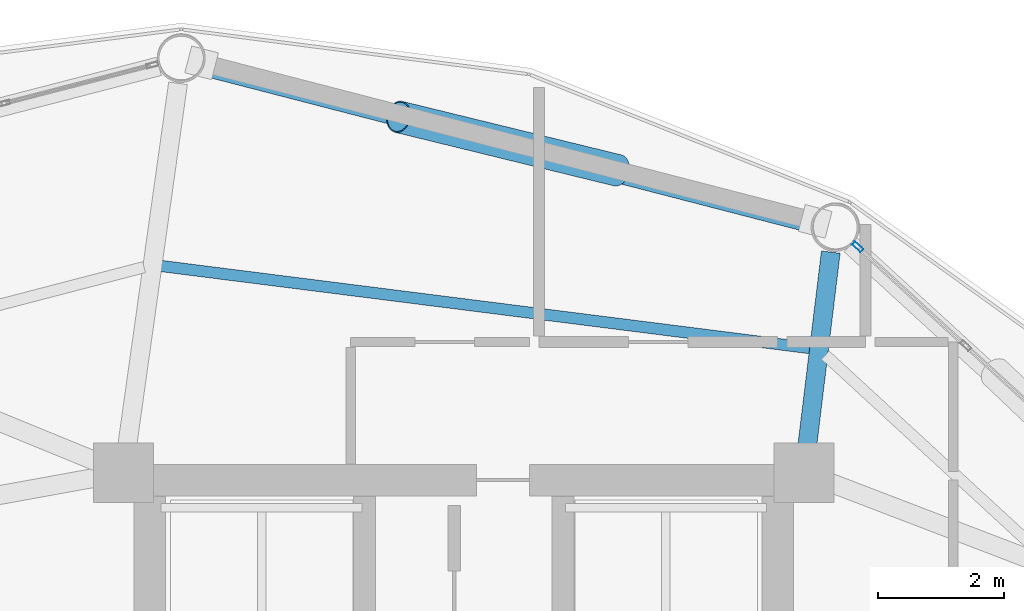
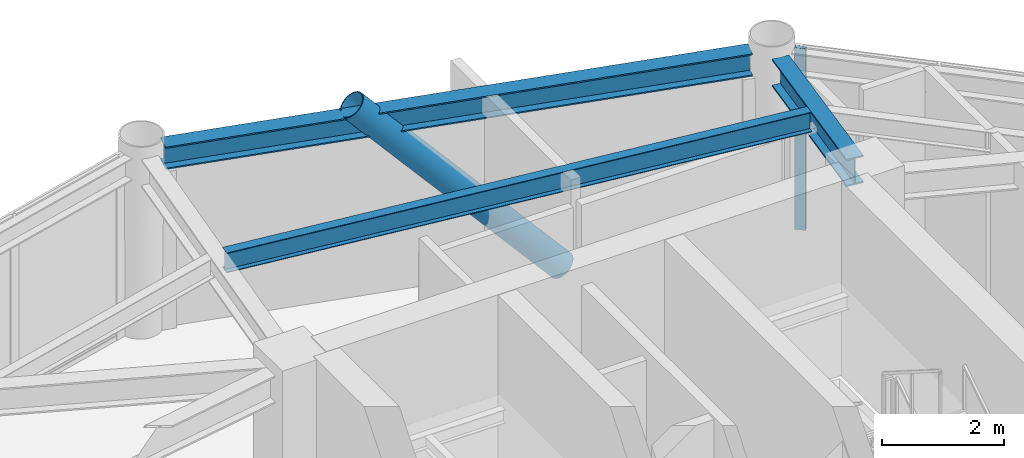
# One storey, part 18 of 26: 3 beams, 2 members, 1 element without a shape of its own.
"""IFC4 building model written with IfcOpenShell, lengths in metres."""

import ifcopenshell
import ifcopenshell.guid

model = None  # the IFC model being written
_history = None  # IfcOwnerHistory: only IFC2X3 demands one
_inside = {}  # id of a spatial element -> (the spatial element, [elements in it])
_under = {}  # id of a project, library or spatial element -> (it, [spatial elements below it])
_declared = {}  # id of a project -> (the project, [libraries it declares])
_typed = {}  # id of a type object -> (the type object, [elements of that type])
_made_of = {}  # id of a material, layer set ... -> (it, [elements and type objects made of it])


def new_model(schema):
    """Start an empty IFC model of exactly this schema.

    Asked for "IFC4X3", IfcOpenShell would pick the latest addendum, in which some entities
    have other attributes; the version numbers below select the first issue.
    IFC2X3 requires an IfcOwnerHistory on every rooted entity: one is made here for all.
    """
    global model, _history
    if schema == "IFC4X3":
        model = ifcopenshell.file(schema_version=(4, 3, 0, 0))
    else:
        model = ifcopenshell.file(schema=schema)
    _inside.clear()
    _under.clear()
    _declared.clear()
    _typed.clear()
    _made_of.clear()
    _history = None
    if model.schema == "IFC2X3":
        org = make("IfcOrganization", Name="unknown")
        user = make(
            "IfcPersonAndOrganization",
            ThePerson=make("IfcPerson", FamilyName="unknown"),
            TheOrganization=org,
        )
        app = make(
            "IfcApplication",
            ApplicationDeveloper=org,
            Version="unknown",
            ApplicationFullName="unknown",
            ApplicationIdentifier="unknown",
        )
        _history = make(
            "IfcOwnerHistory",
            OwningUser=user,
            OwningApplication=app,
            ChangeAction="ADDED",
            CreationDate=0,
        )
    return model


def make(cls, **values):
    """One entity of the class cls with the attributes given. An attribute that is None is left unset."""
    return model.create_entity(
        cls, **{name: value for name, value in values.items() if value is not None}
    )


def rooted(cls, **values):
    """An entity with a GlobalId (a new one), such as an element, a storey or a relation."""
    return make(cls, GlobalId=ifcopenshell.guid.new(), OwnerHistory=_history, **values)


def si_unit(unit_type, name, prefix=None):
    """IfcSIUnit, for example si_unit("LENGTHUNIT", "METRE", prefix="MILLI")."""
    return make("IfcSIUnit", UnitType=unit_type, Prefix=prefix, Name=name)


def assignment(units):
    """IfcUnitAssignment: the units of a project."""
    return None if units is None else make("IfcUnitAssignment", Units=units)


def point(xyz):
    """IfcCartesianPoint."""
    return None if xyz is None else make("IfcCartesianPoint", Coordinates=xyz)


def direction(xyz):
    """IfcDirection."""
    return None if xyz is None else make("IfcDirection", DirectionRatios=xyz)


def frame(location, z_axis=None, x_axis=None):
    """IfcAxis2Placement3D, a coordinate frame: its origin and axes. An axis left out is left unset."""
    return make(
        "IfcAxis2Placement3D",
        Location=point(location),
        Axis=direction(z_axis),
        RefDirection=direction(x_axis),
    )


def frame_2d(location, x_axis=None):
    """IfcAxis2Placement2D, a coordinate frame in the plane: its origin and x axis."""
    return make(
        "IfcAxis2Placement2D", Location=point(location), RefDirection=direction(x_axis)
    )


def origin():
    """The frame at (0, 0, 0) with its axes left unset."""
    return frame((0.0, 0.0, 0.0))


def origin_2d():
    """The frame at (0, 0) in the plane with its x axis left unset."""
    return frame_2d((0.0, 0.0))


def place(relative_to, where):
    """IfcLocalPlacement: puts the frame where relative to a parent placement (None: the world)."""
    return make(
        "IfcLocalPlacement", PlacementRelTo=relative_to, RelativePlacement=where
    )


def context(
    kind, dimensions, precision=None, world=None, true_north=None, identifier=None
):
    """IfcGeometricRepresentationContext, for example the 3D "Model" context."""
    return make(
        "IfcGeometricRepresentationContext",
        ContextIdentifier=identifier,
        ContextType=kind,
        CoordinateSpaceDimension=dimensions,
        Precision=precision,
        WorldCoordinateSystem=world,
        TrueNorth=true_north,
    )


def subcontext(parent, identifier, kind, view, scale=None):
    """IfcGeometricRepresentationSubContext, for example "Body" below "Model"."""
    return make(
        "IfcGeometricRepresentationSubContext",
        ContextIdentifier=identifier,
        ContextType=kind,
        ParentContext=parent,
        TargetScale=scale,
        TargetView=view,
    )


def project(units=None, contexts=None):
    """IfcProject with its units and contexts."""
    return rooted(
        "IfcProject",
        Name="project",
        RepresentationContexts=contexts,
        UnitsInContext=assignment(units),
    )


def spatial(cls, under=None, at=None, **own):
    """A site, building, storey or space (cls), placed at a placement, below another one or the project."""
    s = rooted(cls, ObjectPlacement=at, **own)
    if under is not None:
        _under.setdefault(under.id(), (under, []))[1].append(s)
    return s


def profile(cls, at=None, kind="AREA", **sizes):
    """A parametric profile (cls). Its sizes go by their IFC names, for example OverallWidth=200.0."""
    return make(cls, ProfileType=kind, Position=at, **sizes)


def hollow_rectangle(**sizes):
    """IfcRectangleHollowProfileDef."""
    return profile("IfcRectangleHollowProfileDef", **sizes)


def hollow_circle(**sizes):
    """IfcCircleHollowProfileDef."""
    return profile("IfcCircleHollowProfileDef", **sizes)


def i_section(**sizes):
    """IfcIShapeProfileDef."""
    return profile("IfcIShapeProfileDef", **sizes)


def extrude(swept, where, along, depth):
    """IfcExtrudedAreaSolid: the profile swept, set in the frame where, extruded along a direction by depth."""
    return make(
        "IfcExtrudedAreaSolid",
        SweptArea=swept,
        Position=where,
        ExtrudedDirection=direction(along),
        Depth=depth,
    )


def shape(context_of_items, identifier, shape_type, items):
    """IfcShapeRepresentation: the items that make up one representation, for example the "Body"."""
    return make(
        "IfcShapeRepresentation",
        ContextOfItems=context_of_items,
        RepresentationIdentifier=identifier,
        RepresentationType=shape_type,
        Items=items,
    )


def material(Name=None, Category=None):
    """IfcMaterial."""
    return make("IfcMaterial", Name=Name, Category=Category)


def layer(
    of_material, thickness, ventilated=None, Name=None, Category=None, Priority=None
):
    """IfcMaterialLayer: one layer of a wall or slab, of a material (None: an air gap)."""
    return make(
        "IfcMaterialLayer",
        Material=of_material,
        LayerThickness=thickness,
        IsVentilated=ventilated,
        Name=Name,
        Category=Category,
        Priority=Priority,
    )


def layer_set(layers, Name=None):
    """IfcMaterialLayerSet."""
    return make("IfcMaterialLayerSet", MaterialLayers=layers, LayerSetName=Name)


def material_profile(
    of_material, cross_section, Name=None, Category=None, Priority=None
):
    """IfcMaterialProfile: a cross section and its material."""
    return make(
        "IfcMaterialProfile",
        Name=Name,
        Material=of_material,
        Profile=cross_section,
        Priority=Priority,
        Category=Category,
    )


def profile_set(profiles, Name=None, composite=None):
    """IfcMaterialProfileSet."""
    return make(
        "IfcMaterialProfileSet",
        Name=Name,
        MaterialProfiles=profiles,
        CompositeProfile=composite,
    )


def made_of(thing, what):
    """Note that an element or type object is made of a material, layer set ...; save() writes the relation."""
    if what is not None:
        _made_of.setdefault(what.id(), (what, []))[1].append(thing)
    return thing


def type_object(cls, material=None, **own):
    """A type object (cls), such as IfcWallType, which elements share."""
    return made_of(rooted(cls, **own), material)


def element(
    cls,
    number,
    at=None,
    inside=None,
    cuts=None,
    type_object=None,
    material=None,
    context=None,
    identifier="Body",
    shape_type=None,
    held_by="IfcProductDefinitionShape",
    body=None,
    shapes=None,
    **own,
):
    """One element of the class cls, such as IfcWall. Its Tag is "e" and its number.

    at: its placement. inside: the storey or other place that contains it. cuts: it is an
    opening in that element (IfcRelVoidsElement). A single representation is given by context,
    identifier, shape_type and body (its items); several are given by shapes. held_by: the class
    of the entity that holds the representations. save() writes the other relations.
    """
    e = rooted(cls, Tag="e%d" % number, ObjectPlacement=at, **own)
    if body is not None:
        shapes = [shape(context, identifier, shape_type, body)]
    if shapes is not None:
        e.Representation = make(held_by, Representations=shapes)
    if inside is not None:
        _inside.setdefault(inside.id(), (inside, []))[1].append(e)
    if cuts is not None:
        rooted(
            "IfcRelVoidsElement", RelatingBuildingElement=cuts, RelatedOpeningElement=e
        )
    if type_object is not None:
        _typed.setdefault(type_object.id(), (type_object, []))[1].append(e)
    return made_of(e, material)


def aggregate(whole, parts):
    """IfcRelAggregates: a whole, such as a stair, and the parts it consists of."""
    return rooted("IfcRelAggregates", RelatingObject=whole, RelatedObjects=parts)


def save(model, path):
    """Write the relations noted so far, then the file.

    IfcRelAggregates (storeys below a building ...), IfcRelContainedInSpatialStructure (elements
    in a storey), IfcRelDefinesByType, IfcRelAssociatesMaterial and IfcRelDeclares: one each for
    every whole, place, type object, material and project.
    """
    for whole, parts in _under.values():
        aggregate(whole, parts)
    for where, things in _inside.values():
        rooted(
            "IfcRelContainedInSpatialStructure",
            RelatedElements=things,
            RelatingStructure=where,
        )
    for kind, things in _typed.values():
        rooted("IfcRelDefinesByType", RelatedObjects=things, RelatingType=kind)
    for what, things in _made_of.values():
        rooted("IfcRelAssociatesMaterial", RelatedObjects=things, RelatingMaterial=what)
    for by, libraries in _declared.values():
        rooted("IfcRelDeclares", RelatingContext=by, RelatedDefinitions=libraries)
    model.write(path)


model = new_model("IFC4")

# Units and contexts
model_context = context("Model", 3, precision=1e-05, world=origin(), true_north=direction((0.0, 1.0)))
body_context = subcontext(model_context, "Body", "Model", "MODEL_VIEW")
ifc_project = project(units=[si_unit("LENGTHUNIT", "METRE"), si_unit("AREAUNIT", "SQUARE_METRE"), si_unit("VOLUMEUNIT", "CUBIC_METRE"), si_unit("PLANEANGLEUNIT", "RADIAN"), si_unit("MASSUNIT", "GRAM", prefix="KILO")], contexts=[model_context])

# Site, building, storey
site_placement = place(None, origin())
site = spatial("IfcSite", under=ifc_project, at=site_placement, CompositionType="ELEMENT")
building_placement = place(site_placement, origin())
building = spatial("IfcBuilding", under=site, at=building_placement, Name="Varnakorn Sky Granary", CompositionType="ELEMENT")
storey_placement = place(building_placement, frame((0.0, 0.0, 138.300048828125)))
storey = spatial("IfcBuildingStorey", under=building, at=storey_placement, Name="L34", CompositionType="ELEMENT", Elevation=138.300048828125)

# Beams
ifc_material_1 = material(Name="Steel S355JR", Category="steel")
ifc_material_profile_1 = material_profile(ifc_material_1, i_section(OverallWidth=0.300048828125, OverallDepth=0.550048828125, WebThickness=0.014892578125, FlangeThickness=0.029052734375, at=origin_2d()), Name="HE 550 B")
ifc_profile_set_1 = profile_set([ifc_material_profile_1], Name="Steel S355JR")
beam_type_1 = type_object("IfcBeamType", Name="BM-RAD-Z3", PredefinedType="BEAM", material=ifc_profile_set_1)
beam_1_placement = place(storey_placement, frame((8.470703125, 13.036865234375, 3.364990234375), z_axis=(0.12063294344, 0.992697180895, 0.0), x_axis=(-0.992697180895, 0.12063294344, 0.0)))
element("IfcBeam", 1, at=beam_1_placement, inside=storey, type_object=beam_type_1, Name="Radial Floor Girder RG03 L34", PredefinedType="BEAM", context=body_context, shape_type="SweptSolid", body=[
    extrude(i_section(OverallWidth=0.300048828125, OverallDepth=0.550048828125, WebThickness=0.014892578125, FlangeThickness=0.029052734375, at=origin_2d()), origin(), (0.0, 0.0, 1.0), 3.11865234375),
])
ifc_material_profile_2 = material_profile(ifc_material_1, i_section(OverallWidth=0.179931640625, OverallDepth=0.39990234375, WebThickness=0.008544921875, FlangeThickness=0.013427734375, at=origin_2d()), Name="IPE 400")
ifc_profile_set_2 = profile_set([ifc_material_profile_2], Name="Steel S355JR")
beam_type_2 = type_object("IfcBeamType", Name="BM-SEC-Z3", PredefinedType="BEAM", material=ifc_profile_set_2)
beam_2_placement = place(storey_placement, frame((8.52001953125, 14.602294921875, 3.43994140625), z_axis=(-0.992085652616, 0.12556296378, 0.0), x_axis=(-0.12556296378, -0.992085652616, 0.0)))
element("IfcBeam", 2, at=beam_2_placement, inside=storey, type_object=beam_type_2, Name="Secondary Floor Chord Beam MSB03 L34", PredefinedType="BEAM", context=body_context, shape_type="SweptSolid", body=[
    extrude(i_section(OverallWidth=0.179931640625, OverallDepth=0.39990234375, WebThickness=0.008544921875, FlangeThickness=0.013427734375, at=origin_2d()), origin(), (0.0, 0.0, 1.0), 10.419921875),
])
ifc_material_profile_3 = material_profile(ifc_material_1, i_section(OverallWidth=0.300048828125, OverallDepth=0.449951171875, WebThickness=0.013916015625, FlangeThickness=0.02587890625, at=origin_2d()), Name="HE 450 B")
ifc_profile_set_3 = profile_set([ifc_material_profile_3], Name="Steel S355JR")
beam_type_3 = type_object("IfcBeamType", Name="BM-SPD-Z3", PredefinedType="SPANDREL", material=ifc_profile_set_3)
beam_3_placement = place(storey_placement, frame((8.53662109375, 16.587646484375, 3.4150390625), z_axis=(-0.968156603597, 0.250345343299, 0.0), x_axis=(-0.250345343299, -0.968156603597, 0.0)))
element("IfcBeam", 3, at=beam_3_placement, inside=storey, type_object=beam_type_3, Name="Perimeter Spandrel Ring Beam RB03 L34", PredefinedType="SPANDREL", context=body_context, shape_type="SweptSolid", body=[
    extrude(i_section(OverallWidth=0.300048828125, OverallDepth=0.449951171875, WebThickness=0.013916015625, FlangeThickness=0.02587890625, at=origin_2d()), origin(), (0.0, 0.0, 1.0), 10.000732421875),
])

# Curtain wall, member
ifc_material_2 = material(Name="Anodised Bronze Aluminium Alloy 6063-T6", Category="aluminium")
ifc_layer = layer(ifc_material_2, 0.179931640625, Name="Anodised Bronze Aluminium Alloy 6063-T6")
ifc_layer_set = layer_set([ifc_layer], Name="Anodised Bronze Aluminium Alloy 6063-T6")
curtain_wall_type = type_object("IfcCurtainWallType", Name="CW-FRM-2", PredefinedType="USERDEFINED", material=ifc_layer_set)
curtain_wall_placement = place(storey_placement, origin())
curtain_wall = element("IfcCurtainWall", 4, at=curtain_wall_placement, inside=storey, type_object=curtain_wall_type, Name="Unitised Curtain Wall CW4 CW-L34-B02", ObjectType="CURTAIN WALL", PredefinedType="USERDEFINED")
ifc_material_profile_4 = material_profile(ifc_material_2, hollow_rectangle(XDim=0.070068359375, YDim=0.18505859375, WallThickness=0.00390625, at=origin_2d()), Name="ALU MULL 70x185")
ifc_profile_set_4 = profile_set([ifc_material_profile_4], Name="Anodised Bronze Aluminium Alloy 6063-T6")
member_type_1 = type_object("IfcMemberType", Name="CW-FRM-2-MULL", PredefinedType="MULLION", material=ifc_profile_set_4)
member_1_placement = place(storey_placement, frame((9.27490234375, 16.216064453125, 0.0), z_axis=(0.0, 0.0, 1.0), x_axis=(0.675438035219, 0.737416748236, 0.0)))
member_1 = element("IfcMember", 5, at=member_1_placement, type_object=member_type_1, Name="CW4 mullion 1", PredefinedType="MULLION", context=body_context, shape_type="SweptSolid", body=[
    extrude(hollow_rectangle(XDim=0.070068359375, YDim=0.18505859375, WallThickness=0.00390625, at=origin_2d()), origin(), (0.0, 0.0, 1.0), 3.639892578125),
])
aggregate(curtain_wall, [member_1])

# Member
ifc_material_3 = material(Name="Steel S460M", Category="steel")
ifc_material_profile_5 = material_profile(ifc_material_3, hollow_circle(Radius=0.25390625, WallThickness=0.01806640625, at=origin_2d()), Name="CHS 508x18")
ifc_profile_set_5 = profile_set([ifc_material_profile_5], Name="Steel S460M")
member_type_2 = type_object("IfcMemberType", Name="MB-DIAG-T2", PredefinedType="BRACE", material=ifc_profile_set_5)
member_2_placement = place(storey_placement, frame((5.44921875, 17.435302734375, -0.130126953125), z_axis=(-0.65587497999, 0.160328057727, 0.737646883358), x_axis=(-0.237457370677, -0.971397960216, 0.0)))
element("IfcMember", 6, at=member_2_placement, inside=storey, type_object=member_type_2, Name="Perimeter CHS Diagrid Brace DG03 L34", PredefinedType="BRACE", context=body_context, shape_type="SweptSolid", body=[
    extrude(hollow_circle(Radius=0.25390625, WallThickness=0.01806640625, at=origin_2d()), origin(), (0.0, 0.0, 1.0), 5.314453125),
])

save(model, "model.ifc")
